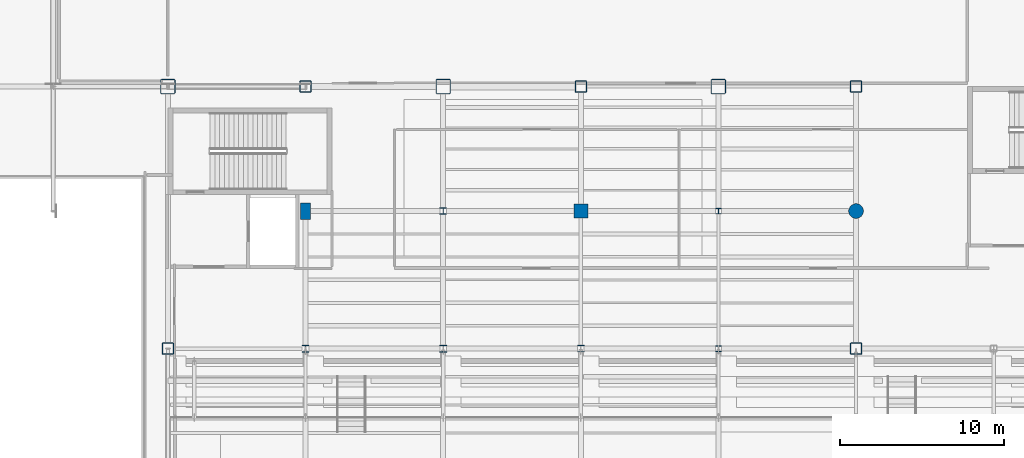
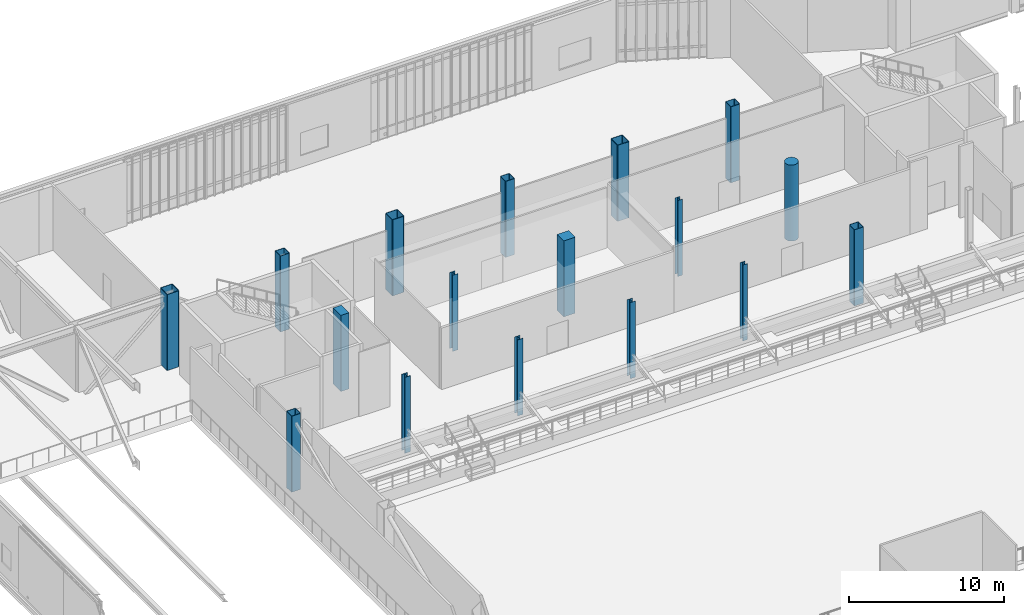
# One storey, part 5 of 135: 17 columns.
"""IFC4 building model written with IfcOpenShell, lengths in metres."""

import ifcopenshell
import ifcopenshell.guid

model = None  # the IFC model being written
_history = None  # IfcOwnerHistory: only IFC2X3 demands one
_inside = {}  # id of a spatial element -> (the spatial element, [elements in it])
_under = {}  # id of a project, library or spatial element -> (it, [spatial elements below it])
_declared = {}  # id of a project -> (the project, [libraries it declares])
_typed = {}  # id of a type object -> (the type object, [elements of that type])
_made_of = {}  # id of a material, layer set ... -> (it, [elements and type objects made of it])


def new_model(schema):
    """Start an empty IFC model of exactly this schema.

    Asked for "IFC4X3", IfcOpenShell would pick the latest addendum, in which some entities
    have other attributes; the version numbers below select the first issue.
    IFC2X3 requires an IfcOwnerHistory on every rooted entity: one is made here for all.
    """
    global model, _history
    if schema == "IFC4X3":
        model = ifcopenshell.file(schema_version=(4, 3, 0, 0))
    else:
        model = ifcopenshell.file(schema=schema)
    _inside.clear()
    _under.clear()
    _declared.clear()
    _typed.clear()
    _made_of.clear()
    _history = None
    if model.schema == "IFC2X3":
        org = make("IfcOrganization", Name="unknown")
        user = make(
            "IfcPersonAndOrganization",
            ThePerson=make("IfcPerson", FamilyName="unknown"),
            TheOrganization=org,
        )
        app = make(
            "IfcApplication",
            ApplicationDeveloper=org,
            Version="unknown",
            ApplicationFullName="unknown",
            ApplicationIdentifier="unknown",
        )
        _history = make(
            "IfcOwnerHistory",
            OwningUser=user,
            OwningApplication=app,
            ChangeAction="ADDED",
            CreationDate=0,
        )
    return model


def make(cls, **values):
    """One entity of the class cls with the attributes given. An attribute that is None is left unset."""
    return model.create_entity(
        cls, **{name: value for name, value in values.items() if value is not None}
    )


def rooted(cls, **values):
    """An entity with a GlobalId (a new one), such as an element, a storey or a relation."""
    return make(cls, GlobalId=ifcopenshell.guid.new(), OwnerHistory=_history, **values)


def si_unit(unit_type, name, prefix=None):
    """IfcSIUnit, for example si_unit("LENGTHUNIT", "METRE", prefix="MILLI")."""
    return make("IfcSIUnit", UnitType=unit_type, Prefix=prefix, Name=name)


def assignment(units):
    """IfcUnitAssignment: the units of a project."""
    return None if units is None else make("IfcUnitAssignment", Units=units)


def point(xyz):
    """IfcCartesianPoint."""
    return None if xyz is None else make("IfcCartesianPoint", Coordinates=xyz)


def direction(xyz):
    """IfcDirection."""
    return None if xyz is None else make("IfcDirection", DirectionRatios=xyz)


def frame(location, z_axis=None, x_axis=None):
    """IfcAxis2Placement3D, a coordinate frame: its origin and axes. An axis left out is left unset."""
    return make(
        "IfcAxis2Placement3D",
        Location=point(location),
        Axis=direction(z_axis),
        RefDirection=direction(x_axis),
    )


def frame_2d(location, x_axis=None):
    """IfcAxis2Placement2D, a coordinate frame in the plane: its origin and x axis."""
    return make(
        "IfcAxis2Placement2D", Location=point(location), RefDirection=direction(x_axis)
    )


def origin():
    """The frame at (0, 0, 0) with its axes left unset."""
    return frame((0.0, 0.0, 0.0))


def origin_2d():
    """The frame at (0, 0) in the plane with its x axis left unset."""
    return frame_2d((0.0, 0.0))


def place(relative_to, where):
    """IfcLocalPlacement: puts the frame where relative to a parent placement (None: the world)."""
    return make(
        "IfcLocalPlacement", PlacementRelTo=relative_to, RelativePlacement=where
    )


def context(
    kind, dimensions, precision=None, world=None, true_north=None, identifier=None
):
    """IfcGeometricRepresentationContext, for example the 3D "Model" context."""
    return make(
        "IfcGeometricRepresentationContext",
        ContextIdentifier=identifier,
        ContextType=kind,
        CoordinateSpaceDimension=dimensions,
        Precision=precision,
        WorldCoordinateSystem=world,
        TrueNorth=true_north,
    )


def subcontext(parent, identifier, kind, view, scale=None):
    """IfcGeometricRepresentationSubContext, for example "Body" below "Model"."""
    return make(
        "IfcGeometricRepresentationSubContext",
        ContextIdentifier=identifier,
        ContextType=kind,
        ParentContext=parent,
        TargetScale=scale,
        TargetView=view,
    )


def project(units=None, contexts=None):
    """IfcProject with its units and contexts."""
    return rooted(
        "IfcProject",
        Name="project",
        RepresentationContexts=contexts,
        UnitsInContext=assignment(units),
    )


def spatial(cls, under=None, at=None, **own):
    """A site, building, storey or space (cls), placed at a placement, below another one or the project."""
    s = rooted(cls, ObjectPlacement=at, **own)
    if under is not None:
        _under.setdefault(under.id(), (under, []))[1].append(s)
    return s


def profile(cls, at=None, kind="AREA", **sizes):
    """A parametric profile (cls). Its sizes go by their IFC names, for example OverallWidth=200.0."""
    return make(cls, ProfileType=kind, Position=at, **sizes)


def rectangle(**sizes):
    """IfcRectangleProfileDef."""
    return profile("IfcRectangleProfileDef", **sizes)


def hollow_rectangle(**sizes):
    """IfcRectangleHollowProfileDef."""
    return profile("IfcRectangleHollowProfileDef", **sizes)


def circle(**sizes):
    """IfcCircleProfileDef."""
    return profile("IfcCircleProfileDef", **sizes)


def i_section(**sizes):
    """IfcIShapeProfileDef."""
    return profile("IfcIShapeProfileDef", **sizes)


def extrude(swept, where, along, depth):
    """IfcExtrudedAreaSolid: the profile swept, set in the frame where, extruded along a direction by depth."""
    return make(
        "IfcExtrudedAreaSolid",
        SweptArea=swept,
        Position=where,
        ExtrudedDirection=direction(along),
        Depth=depth,
    )


def shape(context_of_items, identifier, shape_type, items):
    """IfcShapeRepresentation: the items that make up one representation, for example the "Body"."""
    return make(
        "IfcShapeRepresentation",
        ContextOfItems=context_of_items,
        RepresentationIdentifier=identifier,
        RepresentationType=shape_type,
        Items=items,
    )


def material(Name=None, Category=None):
    """IfcMaterial."""
    return make("IfcMaterial", Name=Name, Category=Category)


def material_profile(
    of_material, cross_section, Name=None, Category=None, Priority=None
):
    """IfcMaterialProfile: a cross section and its material."""
    return make(
        "IfcMaterialProfile",
        Name=Name,
        Material=of_material,
        Profile=cross_section,
        Priority=Priority,
        Category=Category,
    )


def profile_set(profiles, Name=None, composite=None):
    """IfcMaterialProfileSet."""
    return make(
        "IfcMaterialProfileSet",
        Name=Name,
        MaterialProfiles=profiles,
        CompositeProfile=composite,
    )


def made_of(thing, what):
    """Note that an element or type object is made of a material, layer set ...; save() writes the relation."""
    if what is not None:
        _made_of.setdefault(what.id(), (what, []))[1].append(thing)
    return thing


def type_object(cls, material=None, **own):
    """A type object (cls), such as IfcWallType, which elements share."""
    return made_of(rooted(cls, **own), material)


def element(
    cls,
    number,
    at=None,
    inside=None,
    cuts=None,
    type_object=None,
    material=None,
    context=None,
    identifier="Body",
    shape_type=None,
    held_by="IfcProductDefinitionShape",
    body=None,
    shapes=None,
    **own,
):
    """One element of the class cls, such as IfcWall. Its Tag is "e" and its number.

    at: its placement. inside: the storey or other place that contains it. cuts: it is an
    opening in that element (IfcRelVoidsElement). A single representation is given by context,
    identifier, shape_type and body (its items); several are given by shapes. held_by: the class
    of the entity that holds the representations. save() writes the other relations.
    """
    e = rooted(cls, Tag="e%d" % number, ObjectPlacement=at, **own)
    if body is not None:
        shapes = [shape(context, identifier, shape_type, body)]
    if shapes is not None:
        e.Representation = make(held_by, Representations=shapes)
    if inside is not None:
        _inside.setdefault(inside.id(), (inside, []))[1].append(e)
    if cuts is not None:
        rooted(
            "IfcRelVoidsElement", RelatingBuildingElement=cuts, RelatedOpeningElement=e
        )
    if type_object is not None:
        _typed.setdefault(type_object.id(), (type_object, []))[1].append(e)
    return made_of(e, material)


def aggregate(whole, parts):
    """IfcRelAggregates: a whole, such as a stair, and the parts it consists of."""
    return rooted("IfcRelAggregates", RelatingObject=whole, RelatedObjects=parts)


def save(model, path):
    """Write the relations noted so far, then the file.

    IfcRelAggregates (storeys below a building ...), IfcRelContainedInSpatialStructure (elements
    in a storey), IfcRelDefinesByType, IfcRelAssociatesMaterial and IfcRelDeclares: one each for
    every whole, place, type object, material and project.
    """
    for whole, parts in _under.values():
        aggregate(whole, parts)
    for where, things in _inside.values():
        rooted(
            "IfcRelContainedInSpatialStructure",
            RelatedElements=things,
            RelatingStructure=where,
        )
    for kind, things in _typed.values():
        rooted("IfcRelDefinesByType", RelatedObjects=things, RelatingType=kind)
    for what, things in _made_of.values():
        rooted("IfcRelAssociatesMaterial", RelatedObjects=things, RelatingMaterial=what)
    for by, libraries in _declared.values():
        rooted("IfcRelDeclares", RelatingContext=by, RelatedDefinitions=libraries)
    model.write(path)


model = new_model("IFC4")

# Units and contexts
model_context = context("Model", 3, precision=1e-05, world=origin(), true_north=direction((0.0, 1.0)))
body_context = subcontext(model_context, "Body", "Model", "MODEL_VIEW")
ifc_project = project(units=[si_unit("LENGTHUNIT", "METRE"), si_unit("AREAUNIT", "SQUARE_METRE"), si_unit("VOLUMEUNIT", "CUBIC_METRE"), si_unit("PLANEANGLEUNIT", "RADIAN"), si_unit("MASSUNIT", "GRAM", prefix="KILO")], contexts=[model_context])

# Site, building, storey
site_placement = place(None, origin())
site = spatial("IfcSite", under=ifc_project, at=site_placement, CompositionType="ELEMENT")
building_placement = place(site_placement, origin())
building = spatial("IfcBuilding", under=site, at=building_placement, Name="Larkvane Passage Sports Hall", CompositionType="ELEMENT")
storey_placement = place(building_placement, frame((0.0, 0.0, 10.800048828125)))
storey = spatial("IfcBuildingStorey", under=building, at=storey_placement, Name="L02", CompositionType="ELEMENT", Elevation=10.800048828125)

# Columns
ifc_material_1 = material(Name="Concrete C50/60", Category="concrete")
ifc_material_profile_1 = material_profile(ifc_material_1, circle(Radius=0.449951171875, at=origin_2d()), Name="RC-CIR-900")
ifc_profile_set_1 = profile_set([ifc_material_profile_1], Name="Concrete C50/60")
column_type_1 = type_object("IfcColumnType", Name="COL-CIR-900", PredefinedType="COLUMN", material=ifc_profile_set_1)
column_1_placement = place(storey_placement, frame((76.800048828125, 84.0, 0.0), z_axis=(0.0, 0.0, 1.0), x_axis=(1.0, 0.0, 0.0)))
element("IfcColumn", 1, at=column_1_placement, inside=storey, type_object=column_type_1, Name="Column 11/K L02", PredefinedType="COLUMN", context=body_context, shape_type="SweptSolid", body=[
    extrude(circle(Radius=0.449951171875, at=origin_2d()), origin(), (0.0, 0.0, 1.0), 6.0),
])
ifc_material_2 = material(Name="Concrete C40/50", Category="concrete")
ifc_material_profile_2 = material_profile(ifc_material_2, rectangle(XDim=0.60009765625, YDim=1.0, at=origin_2d()), Name="RC-COL-600x1000")
ifc_profile_set_2 = profile_set([ifc_material_profile_2], Name="Concrete C40/50")
column_type_2 = type_object("IfcColumnType", Name="COL-RC-600x1000", PredefinedType="COLUMN", material=ifc_profile_set_2)
column_2_placement = place(storey_placement, frame((43.199951171875, 84.0, 0.0), z_axis=(0.0, 0.0, 1.0), x_axis=(1.0, 0.0, 0.0)))
element("IfcColumn", 2, at=column_2_placement, inside=storey, type_object=column_type_2, Name="Column 7/K L02", PredefinedType="COLUMN", context=body_context, shape_type="SweptSolid", body=[
    extrude(rectangle(XDim=0.60009765625, YDim=1.0, at=origin_2d()), origin(), (0.0, 0.0, 1.0), 6.0),
])
ifc_material_profile_3 = material_profile(ifc_material_1, rectangle(XDim=0.85009765625, YDim=0.85009765625, at=origin_2d()), Name="RC-COL-850x850")
ifc_profile_set_3 = profile_set([ifc_material_profile_3], Name="Concrete C50/60")
column_type_3 = type_object("IfcColumnType", Name="COL-RC-850", PredefinedType="COLUMN", material=ifc_profile_set_3)
column_3_placement = place(storey_placement, frame((60.0, 84.0, 0.0), z_axis=(0.0, 0.0, 1.0), x_axis=(1.0, 0.0, 0.0)))
element("IfcColumn", 3, at=column_3_placement, inside=storey, type_object=column_type_3, Name="Column 9/K L02", PredefinedType="COLUMN", context=body_context, shape_type="SweptSolid", body=[
    extrude(rectangle(XDim=0.85009765625, YDim=0.85009765625, at=origin_2d()), origin(), (0.0, 0.0, 1.0), 6.0),
])
ifc_material_3 = material(Name="Steel S460N", Category="steel")
ifc_material_profile_4 = material_profile(ifc_material_3, hollow_rectangle(XDim=0.699951171875, YDim=0.699951171875, WallThickness=0.028076171875, InnerFilletRadius=0.028076171875, OuterFilletRadius=0.055908203125, at=origin_2d()), Name="BOX-700x700x28")
ifc_profile_set_4 = profile_set([ifc_material_profile_4], Name="Steel S460N")
column_type_4 = type_object("IfcColumnType", Name="COL-STL-BOX700", PredefinedType="COLUMN", material=ifc_profile_set_4)
for number, where, z_axis, x_axis, name in (
    (4, (34.800048828125, 75.60009765625, 0.0), (0.0, 0.0, 1.0), (1.0, 0.0, 0.0), "Column 6/J L02"),
    (5, (43.199951171875, 91.60009765625, 0.0), (0.0, 0.0, 1.0), (1.0, 0.0, 0.0), "Column 7/L L02"),
    (6, (60.0, 91.60009765625, 0.0), (0.0, 0.0, 1.0), (1.0, 0.0, 0.0), "Column 9/L L02"),
    (7, (76.800048828125, 75.60009765625, 0.0), (0.0, 0.0, 1.0), (1.0, 0.0, 0.0), "Column 11/J L02"),
    (8, (76.800048828125, 91.60009765625, 0.0), (0.0, 0.0, 1.0), (1.0, 0.0, 0.0), "Column 11/L L02"),
):
    element("IfcColumn", number, at=place(storey_placement, frame(where, z_axis=z_axis, x_axis=x_axis)), inside=storey, type_object=column_type_4, Name=name, PredefinedType="COLUMN", context=body_context, shape_type="SweptSolid", body=[
        extrude(hollow_rectangle(XDim=0.699951171875, YDim=0.699951171875, WallThickness=0.028076171875, InnerFilletRadius=0.028076171875, OuterFilletRadius=0.055908203125, at=origin_2d()), origin(), (0.0, 0.0, 1.0), 6.0),
    ])
ifc_material_profile_5 = material_profile(ifc_material_3, hollow_rectangle(XDim=0.89990234375, YDim=0.89990234375, WallThickness=0.035888671875, InnerFilletRadius=0.035888671875, OuterFilletRadius=0.072021484375, at=origin_2d()), Name="BOX-900x900x36")
ifc_profile_set_5 = profile_set([ifc_material_profile_5], Name="Steel S460N")
column_type_5 = type_object("IfcColumnType", Name="COL-STL-BOX900", PredefinedType="COLUMN", material=ifc_profile_set_5)
for number, where, z_axis, x_axis, name in (
    (9, (34.800048828125, 91.60009765625, 0.0), (0.0, 0.0, 1.0), (1.0, 0.0, 0.0), "Column 6/L L02"),
    (10, (51.60009765625, 91.60009765625, 0.0), (0.0, 0.0, 1.0), (1.0, 0.0, 0.0), "Column 8/L L02"),
    (11, (68.39990234375, 91.60009765625, 0.0), (0.0, 0.0, 1.0), (1.0, 0.0, 0.0), "Column 10/L L02"),
):
    element("IfcColumn", number, at=place(storey_placement, frame(where, z_axis=z_axis, x_axis=x_axis)), inside=storey, type_object=column_type_5, Name=name, PredefinedType="COLUMN", context=body_context, shape_type="SweptSolid", body=[
        extrude(hollow_rectangle(XDim=0.89990234375, YDim=0.89990234375, WallThickness=0.035888671875, InnerFilletRadius=0.035888671875, OuterFilletRadius=0.072021484375, at=origin_2d()), origin(), (0.0, 0.0, 1.0), 6.0),
    ])
ifc_material_4 = material(Name="Steel S355JR", Category="steel")
ifc_material_profile_6 = material_profile(ifc_material_4, i_section(OverallWidth=0.35009765625, OverallDepth=0.35009765625, WebThickness=0.011962890625, FlangeThickness=0.01904296875, FilletRadius=0.012939453125, at=origin_2d()), Name="H-350x350x12x19")
ifc_profile_set_6 = profile_set([ifc_material_profile_6], Name="Steel S355JR")
column_type_6 = type_object("IfcColumnType", Name="COL-STL-H350", PredefinedType="COLUMN", material=ifc_profile_set_6)
for number, where, z_axis, x_axis, name in (
    (12, (68.39990234375, 75.60009765625, 0.0), (0.0, 0.0, 1.0), (1.0, 0.0, 0.0), "Column 10/J L02"),
    (13, (68.39990234375, 84.0, 0.0), (0.0, 0.0, 1.0), (1.0, 0.0, 0.0), "Column 10/K L02"),
):
    element("IfcColumn", number, at=place(storey_placement, frame(where, z_axis=z_axis, x_axis=x_axis)), inside=storey, type_object=column_type_6, Name=name, PredefinedType="COLUMN", context=body_context, shape_type="SweptSolid", body=[
        extrude(i_section(OverallWidth=0.35009765625, OverallDepth=0.35009765625, WebThickness=0.011962890625, FlangeThickness=0.01904296875, FilletRadius=0.012939453125, at=origin_2d()), origin(), (0.0, 0.0, 1.0), 6.0),
    ])
ifc_material_profile_7 = material_profile(ifc_material_4, i_section(OverallWidth=0.39990234375, OverallDepth=0.39990234375, WebThickness=0.012939453125, FlangeThickness=0.02099609375, FilletRadius=0.02197265625, at=origin_2d()), Name="H-400x400x13x21")
ifc_profile_set_7 = profile_set([ifc_material_profile_7], Name="Steel S355JR")
column_type_7 = type_object("IfcColumnType", Name="COL-STL-H400", PredefinedType="COLUMN", material=ifc_profile_set_7)
for number, where, z_axis, x_axis, name in (
    (14, (51.60009765625, 84.0, 0.0), (0.0, 0.0, 1.0), (1.0, 0.0, 0.0), "Column 8/K L02"),
    (15, (60.0, 75.60009765625, 0.0), (0.0, 0.0, 1.0), (1.0, 0.0, 0.0), "Column 9/J L02"),
):
    element("IfcColumn", number, at=place(storey_placement, frame(where, z_axis=z_axis, x_axis=x_axis)), inside=storey, type_object=column_type_7, Name=name, PredefinedType="COLUMN", context=body_context, shape_type="SweptSolid", body=[
        extrude(i_section(OverallWidth=0.39990234375, OverallDepth=0.39990234375, WebThickness=0.012939453125, FlangeThickness=0.02099609375, FilletRadius=0.02197265625, at=origin_2d()), origin(), (0.0, 0.0, 1.0), 6.0),
    ])
ifc_material_profile_8 = material_profile(ifc_material_3, i_section(OverallWidth=0.405029296875, OverallDepth=0.4140625, WebThickness=0.01806640625, FlangeThickness=0.028076171875, FilletRadius=0.02197265625, at=origin_2d()), Name="H-414x405x18x28")
ifc_profile_set_8 = profile_set([ifc_material_profile_8], Name="Steel S460N")
column_type_8 = type_object("IfcColumnType", Name="COL-STL-H414", PredefinedType="COLUMN", material=ifc_profile_set_8)
column_4_placement = place(storey_placement, frame((51.60009765625, 75.60009765625, 0.0), z_axis=(0.0, 0.0, 1.0), x_axis=(1.0, 0.0, 0.0)))
element("IfcColumn", 16, at=column_4_placement, inside=storey, type_object=column_type_8, Name="Column 8/J L02", PredefinedType="COLUMN", context=body_context, shape_type="SweptSolid", body=[
    extrude(i_section(OverallWidth=0.405029296875, OverallDepth=0.4140625, WebThickness=0.01806640625, FlangeThickness=0.028076171875, FilletRadius=0.02197265625, at=origin_2d()), origin(), (0.0, 0.0, 1.0), 6.0),
])
ifc_material_profile_9 = material_profile(ifc_material_3, i_section(OverallWidth=0.406982421875, OverallDepth=0.427978515625, WebThickness=0.02001953125, FlangeThickness=0.034912109375, FilletRadius=0.02197265625, at=origin_2d()), Name="H-428x407x20x35")
ifc_profile_set_9 = profile_set([ifc_material_profile_9], Name="Steel S460N")
column_type_9 = type_object("IfcColumnType", Name="COL-STL-H428", PredefinedType="COLUMN", material=ifc_profile_set_9)
column_5_placement = place(storey_placement, frame((43.199951171875, 75.60009765625, 0.0), z_axis=(0.0, 0.0, 1.0), x_axis=(1.0, 0.0, 0.0)))
element("IfcColumn", 17, at=column_5_placement, inside=storey, type_object=column_type_9, Name="Column 7/J L02", PredefinedType="COLUMN", context=body_context, shape_type="SweptSolid", body=[
    extrude(i_section(OverallWidth=0.406982421875, OverallDepth=0.427978515625, WebThickness=0.02001953125, FlangeThickness=0.034912109375, FilletRadius=0.02197265625, at=origin_2d()), origin(), (0.0, 0.0, 1.0), 6.0),
])

save(model, "model.ifc")
